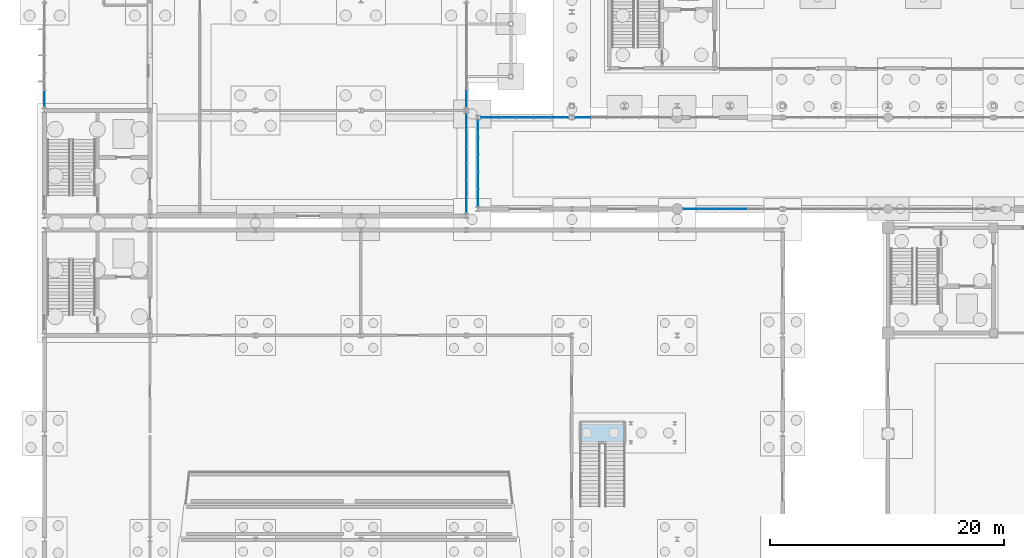
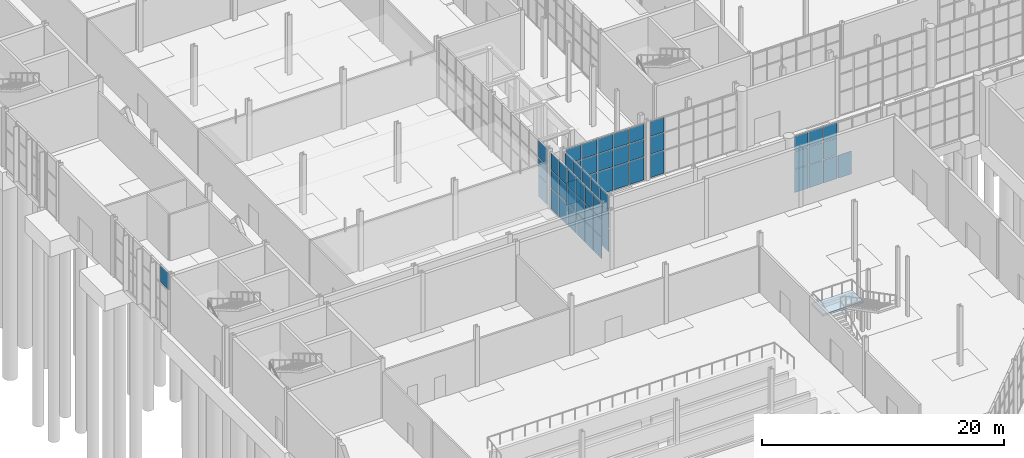
# One storey, part 74 of 131: 65 plates, 1 slab, 8 elements without a shape of their own.
"""IFC4 building model written with IfcOpenShell, lengths in metres."""

from ifc_helpers import new_model, si_unit, direction, frame, origin, origin_2d, place, context, subcontext, project, spatial, polyline, rectangle, outline, extrude, material, layer, layer_set, type_object, element, aggregate, save


model = new_model("IFC4")

# Units and contexts
model_context = context("Model", 3, precision=1e-05, world=origin(), true_north=direction((0.0, 1.0)))
body_context = subcontext(model_context, "Body", "Model", "MODEL_VIEW")
ifc_project = project(units=[si_unit("LENGTHUNIT", "METRE"), si_unit("AREAUNIT", "SQUARE_METRE"), si_unit("VOLUMEUNIT", "CUBIC_METRE"), si_unit("PLANEANGLEUNIT", "RADIAN"), si_unit("MASSUNIT", "GRAM", prefix="KILO")], contexts=[model_context])

# Site, building, storey
site_placement = place(None, origin())
site = spatial("IfcSite", under=ifc_project, at=site_placement, CompositionType="ELEMENT")
building_placement = place(site_placement, origin())
building = spatial("IfcBuilding", under=site, at=building_placement, Name="Cazmaro Siding Exhibition Halls", CompositionType="ELEMENT")
storey_placement = place(building_placement, origin())
storey = spatial("IfcBuildingStorey", under=building, at=storey_placement, Name="L00", CompositionType="ELEMENT", Elevation=0.0)

# Curtain wall, plates
ifc_material_1 = material(Name="Anodized Bronze Aluminum and Solar-Control Low-E Glazing", Category="aluminium")
ifc_layer_1 = layer(ifc_material_1, 0.179931640625)
ifc_layer_set_1 = layer_set([ifc_layer_1], Name="Anodized Bronze Aluminum and Solar-Control Low-E Glazing")
curtain_wall_type_1 = type_object("IfcCurtainWallType", Name="CWS-01", PredefinedType="USERDEFINED", material=ifc_layer_set_1)
curtain_wall_1_placement = place(storey_placement, origin())
curtain_wall_1 = element("IfcCurtainWall", 1, at=curtain_wall_1_placement, inside=storey, type_object=curtain_wall_type_1, Name="Glazed Curtain Wall CWS-01 CW-140", ObjectType="GLAZED CURTAIN WALL", PredefinedType="USERDEFINED")
ifc_material_2 = material(Name="Solar-Control Low-E Double Insulating Glass", Category="glass")
ifc_layer_2 = layer(ifc_material_2, 0.02392578125)
ifc_layer_set_2 = layer_set([ifc_layer_2], Name="Solar-Control Low-E Double Insulating Glass")
plate_type_1 = type_object("IfcPlateType", Name="CWP-01", PredefinedType="CURTAIN_PANEL", material=ifc_layer_set_2)
plate_1_placement = place(storey_placement, frame((44.0009765625, 63.0, 0.06005859375), z_axis=(0.0, 0.0, 1.0), x_axis=(-1.0, 0.0, 0.0)))
plate_1 = element("IfcPlate", 2, at=plate_1_placement, type_object=plate_type_1, Name="CWS-01 panel 1.1", PredefinedType="CURTAIN_PANEL", context=body_context, shape_type="SweptSolid", body=[
    extrude(rectangle(XDim=1.41796875, YDim=0.02392578125, at=origin_2d()), origin(), (0.0, 0.0, 1.0), 2.31005859375),
])
plate_2_placement = place(storey_placement, frame((44.0009765625, 63.0, 2.43017578125), z_axis=(0.0, 0.0, 1.0), x_axis=(-1.0, 0.0, 0.0)))
plate_2 = element("IfcPlate", 3, at=plate_2_placement, type_object=plate_type_1, Name="CWS-01 panel 1.2", PredefinedType="CURTAIN_PANEL", context=body_context, shape_type="SweptSolid", body=[
    extrude(rectangle(XDim=1.41796875, YDim=0.02392578125, at=origin_2d()), origin(), (0.0, 0.0, 1.0), 1.739990234375),
])
plate_3_placement = place(storey_placement, frame((44.0009765625, 63.0, 4.22998046875), z_axis=(0.0, 0.0, 1.0), x_axis=(-1.0, 0.0, 0.0)))
plate_3 = element("IfcPlate", 4, at=plate_3_placement, type_object=plate_type_1, Name="CWS-01 panel 1.3", PredefinedType="CURTAIN_PANEL", context=body_context, shape_type="SweptSolid", body=[
    extrude(rectangle(XDim=1.41796875, YDim=0.02392578125, at=origin_2d()), origin(), (0.0, 0.0, 1.0), 1.489990234375),
])
plate_4_placement = place(storey_placement, frame((42.508056640625, 63.0, 0.06005859375), z_axis=(0.0, 0.0, 1.0), x_axis=(-1.0, 0.0, 0.0)))
plate_4 = element("IfcPlate", 5, at=plate_4_placement, type_object=plate_type_1, Name="CWS-01 panel 2.1", PredefinedType="CURTAIN_PANEL", context=body_context, shape_type="SweptSolid", body=[
    extrude(rectangle(XDim=1.447998046875, YDim=0.02392578125, at=origin_2d()), origin(), (0.0, 0.0, 1.0), 2.31005859375),
])
plate_5_placement = place(storey_placement, frame((42.508056640625, 63.0, 2.43017578125), z_axis=(0.0, 0.0, 1.0), x_axis=(-1.0, 0.0, 0.0)))
plate_5 = element("IfcPlate", 6, at=plate_5_placement, type_object=plate_type_1, Name="CWS-01 panel 2.2", PredefinedType="CURTAIN_PANEL", context=body_context, shape_type="SweptSolid", body=[
    extrude(rectangle(XDim=1.447998046875, YDim=0.02392578125, at=origin_2d()), origin(), (0.0, 0.0, 1.0), 1.739990234375),
])
plate_6_placement = place(storey_placement, frame((42.508056640625, 63.0, 4.22998046875), z_axis=(0.0, 0.0, 1.0), x_axis=(-1.0, 0.0, 0.0)))
plate_6 = element("IfcPlate", 7, at=plate_6_placement, type_object=plate_type_1, Name="CWS-01 panel 2.3", PredefinedType="CURTAIN_PANEL", context=body_context, shape_type="SweptSolid", body=[
    extrude(rectangle(XDim=1.447998046875, YDim=0.02392578125, at=origin_2d()), origin(), (0.0, 0.0, 1.0), 1.489990234375),
])
plate_7_placement = place(storey_placement, frame((41.0, 63.0, 0.06005859375), z_axis=(0.0, 0.0, 1.0), x_axis=(-1.0, 0.0, 0.0)))
plate_7 = element("IfcPlate", 8, at=plate_7_placement, type_object=plate_type_1, Name="CWS-01 panel 3.1", PredefinedType="CURTAIN_PANEL", context=body_context, shape_type="SweptSolid", body=[
    extrude(rectangle(XDim=1.447998046875, YDim=0.02392578125, at=origin_2d()), origin(), (0.0, 0.0, 1.0), 2.31005859375),
])
plate_8_placement = place(storey_placement, frame((41.0, 63.0, 2.43017578125), z_axis=(0.0, 0.0, 1.0), x_axis=(-1.0, 0.0, 0.0)))
plate_8 = element("IfcPlate", 9, at=plate_8_placement, type_object=plate_type_1, Name="CWS-01 panel 3.2", PredefinedType="CURTAIN_PANEL", context=body_context, shape_type="SweptSolid", body=[
    extrude(rectangle(XDim=1.447998046875, YDim=0.02392578125, at=origin_2d()), origin(), (0.0, 0.0, 1.0), 1.739990234375),
])
plate_9_placement = place(storey_placement, frame((41.0, 63.0, 4.22998046875), z_axis=(0.0, 0.0, 1.0), x_axis=(-1.0, 0.0, 0.0)))
plate_9 = element("IfcPlate", 10, at=plate_9_placement, type_object=plate_type_1, Name="CWS-01 panel 3.3", PredefinedType="CURTAIN_PANEL", context=body_context, shape_type="SweptSolid", body=[
    extrude(rectangle(XDim=1.447998046875, YDim=0.02392578125, at=origin_2d()), origin(), (0.0, 0.0, 1.0), 1.489990234375),
])
plate_10_placement = place(storey_placement, frame((39.491943359375, 63.0, 0.06005859375), z_axis=(0.0, 0.0, 1.0), x_axis=(-1.0, 0.0, 0.0)))
plate_10 = element("IfcPlate", 11, at=plate_10_placement, type_object=plate_type_1, Name="CWS-01 panel 4.1", PredefinedType="CURTAIN_PANEL", context=body_context, shape_type="SweptSolid", body=[
    extrude(rectangle(XDim=1.447998046875, YDim=0.02392578125, at=origin_2d()), origin(), (0.0, 0.0, 1.0), 2.31005859375),
])
plate_11_placement = place(storey_placement, frame((39.491943359375, 63.0, 2.43017578125), z_axis=(0.0, 0.0, 1.0), x_axis=(-1.0, 0.0, 0.0)))
plate_11 = element("IfcPlate", 12, at=plate_11_placement, type_object=plate_type_1, Name="CWS-01 panel 4.2", PredefinedType="CURTAIN_PANEL", context=body_context, shape_type="SweptSolid", body=[
    extrude(rectangle(XDim=1.447998046875, YDim=0.02392578125, at=origin_2d()), origin(), (0.0, 0.0, 1.0), 1.739990234375),
])
plate_12_placement = place(storey_placement, frame((39.491943359375, 63.0, 4.22998046875), z_axis=(0.0, 0.0, 1.0), x_axis=(-1.0, 0.0, 0.0)))
plate_12 = element("IfcPlate", 13, at=plate_12_placement, type_object=plate_type_1, Name="CWS-01 panel 4.3", PredefinedType="CURTAIN_PANEL", context=body_context, shape_type="SweptSolid", body=[
    extrude(rectangle(XDim=1.447998046875, YDim=0.02392578125, at=origin_2d()), origin(), (0.0, 0.0, 1.0), 1.489990234375),
])
plate_13_placement = place(storey_placement, frame((37.9990234375, 63.0, 0.06005859375), z_axis=(0.0, 0.0, 1.0), x_axis=(-1.0, 0.0, 0.0)))
plate_13 = element("IfcPlate", 14, at=plate_13_placement, type_object=plate_type_1, Name="CWS-01 panel 5.1", PredefinedType="CURTAIN_PANEL", context=body_context, shape_type="SweptSolid", body=[
    extrude(rectangle(XDim=1.41796875, YDim=0.02392578125, at=origin_2d()), origin(), (0.0, 0.0, 1.0), 2.31005859375),
])
plate_14_placement = place(storey_placement, frame((37.9990234375, 63.0, 2.43017578125), z_axis=(0.0, 0.0, 1.0), x_axis=(-1.0, 0.0, 0.0)))
plate_14 = element("IfcPlate", 15, at=plate_14_placement, type_object=plate_type_1, Name="CWS-01 panel 5.2", PredefinedType="CURTAIN_PANEL", context=body_context, shape_type="SweptSolid", body=[
    extrude(rectangle(XDim=1.41796875, YDim=0.02392578125, at=origin_2d()), origin(), (0.0, 0.0, 1.0), 1.739990234375),
])
plate_15_placement = place(storey_placement, frame((37.9990234375, 63.0, 4.22998046875), z_axis=(0.0, 0.0, 1.0), x_axis=(-1.0, 0.0, 0.0)))
plate_15 = element("IfcPlate", 16, at=plate_15_placement, type_object=plate_type_1, Name="CWS-01 panel 5.3", PredefinedType="CURTAIN_PANEL", context=body_context, shape_type="SweptSolid", body=[
    extrude(rectangle(XDim=1.41796875, YDim=0.02392578125, at=origin_2d()), origin(), (0.0, 0.0, 1.0), 1.489990234375),
])
aggregate(curtain_wall_1, [plate_1, plate_2, plate_3, plate_4, plate_5, plate_6, plate_7, plate_8, plate_9, plate_10, plate_11, plate_12, plate_13, plate_14, plate_15])

curtain_wall_2_placement = place(storey_placement, origin())
curtain_wall_2 = element("IfcCurtainWall", 17, at=curtain_wall_2_placement, inside=storey, type_object=curtain_wall_type_1, Name="Glazed Curtain Wall CWS-01 CW-145", ObjectType="GLAZED CURTAIN WALL", PredefinedType="USERDEFINED")
plate_16_placement = place(storey_placement, frame((45.935546875, 63.0, 0.06005859375), z_axis=(0.0, 0.0, 1.0), x_axis=(-1.0, 0.0, 0.0)))
plate_16 = element("IfcPlate", 18, at=plate_16_placement, type_object=plate_type_1, Name="CWS-01 panel 6.1", PredefinedType="CURTAIN_PANEL", context=body_context, shape_type="SweptSolid", body=[
    extrude(rectangle(XDim=1.291259765625, YDim=0.02392578125, at=origin_2d()), origin(), (0.0, 0.0, 1.0), 2.31005859375),
])
plate_17_placement = place(storey_placement, frame((45.935546875, 63.0, 2.43017578125), z_axis=(0.0, 0.0, 1.0), x_axis=(-1.0, 0.0, 0.0)))
plate_17 = element("IfcPlate", 19, at=plate_17_placement, type_object=plate_type_1, Name="CWS-01 panel 6.2", PredefinedType="CURTAIN_PANEL", context=body_context, shape_type="SweptSolid", body=[
    extrude(rectangle(XDim=1.291259765625, YDim=0.02392578125, at=origin_2d()), origin(), (0.0, 0.0, 1.0), 1.739990234375),
])
plate_18_placement = place(storey_placement, frame((45.935546875, 63.0, 4.22998046875), z_axis=(0.0, 0.0, 1.0), x_axis=(-1.0, 0.0, 0.0)))
plate_18 = element("IfcPlate", 20, at=plate_18_placement, type_object=plate_type_1, Name="CWS-01 panel 6.3", PredefinedType="CURTAIN_PANEL", context=body_context, shape_type="SweptSolid", body=[
    extrude(rectangle(XDim=1.291259765625, YDim=0.02392578125, at=origin_2d()), origin(), (0.0, 0.0, 1.0), 1.489990234375),
])
aggregate(curtain_wall_2, [plate_16, plate_17, plate_18])

curtain_wall_3_placement = place(storey_placement, origin())
curtain_wall_3 = element("IfcCurtainWall", 21, at=curtain_wall_3_placement, inside=storey, type_object=curtain_wall_type_1, Name="Glazed Curtain Wall CWS-01 CW-150", ObjectType="GLAZED CURTAIN WALL", PredefinedType="USERDEFINED")
plate_19_placement = place(storey_placement, frame((55.1884765625, 55.199951171875, 0.06005859375), z_axis=(0.0, 0.0, 1.0), x_axis=(1.0, 0.0, 0.0)))
plate_19 = element("IfcPlate", 22, at=plate_19_placement, type_object=plate_type_1, Name="CWS-01 panel 1.1", PredefinedType="CURTAIN_PANEL", context=body_context, shape_type="SweptSolid", body=[
    extrude(rectangle(XDim=1.291259765625, YDim=0.02392578125, at=origin_2d()), origin(), (0.0, 0.0, 1.0), 2.31005859375),
])
plate_20_placement = place(storey_placement, frame((55.1884765625, 55.199951171875, 2.43017578125), z_axis=(0.0, 0.0, 1.0), x_axis=(1.0, 0.0, 0.0)))
plate_20 = element("IfcPlate", 23, at=plate_20_placement, type_object=plate_type_1, Name="CWS-01 panel 1.2", PredefinedType="CURTAIN_PANEL", context=body_context, shape_type="SweptSolid", body=[
    extrude(rectangle(XDim=1.291259765625, YDim=0.02392578125, at=origin_2d()), origin(), (0.0, 0.0, 1.0), 1.739990234375),
])
plate_21_placement = place(storey_placement, frame((55.1884765625, 55.199951171875, 4.22998046875), z_axis=(0.0, 0.0, 1.0), x_axis=(1.0, 0.0, 0.0)))
plate_21 = element("IfcPlate", 24, at=plate_21_placement, type_object=plate_type_1, Name="CWS-01 panel 1.3", PredefinedType="CURTAIN_PANEL", context=body_context, shape_type="SweptSolid", body=[
    extrude(rectangle(XDim=1.291259765625, YDim=0.02392578125, at=origin_2d()), origin(), (0.0, 0.0, 1.0), 1.489990234375),
])
plate_22_placement = place(storey_placement, frame((56.5546875, 55.199951171875, 0.06005859375), z_axis=(0.0, 0.0, 1.0), x_axis=(1.0, 0.0, 0.0)))
plate_22 = element("IfcPlate", 25, at=plate_22_placement, type_object=plate_type_1, Name="CWS-01 panel 2.1", PredefinedType="CURTAIN_PANEL", context=body_context, shape_type="SweptSolid", body=[
    extrude(rectangle(XDim=1.321044921875, YDim=0.02392578125, at=origin_2d()), origin(), (0.0, 0.0, 1.0), 2.31005859375),
])
plate_23_placement = place(storey_placement, frame((56.5546875, 55.199951171875, 2.43017578125), z_axis=(0.0, 0.0, 1.0), x_axis=(1.0, 0.0, 0.0)))
plate_23 = element("IfcPlate", 26, at=plate_23_placement, type_object=plate_type_1, Name="CWS-01 panel 2.2", PredefinedType="CURTAIN_PANEL", context=body_context, shape_type="SweptSolid", body=[
    extrude(rectangle(XDim=1.321044921875, YDim=0.02392578125, at=origin_2d()), origin(), (0.0, 0.0, 1.0), 1.739990234375),
])
plate_24_placement = place(storey_placement, frame((56.5546875, 55.199951171875, 4.22998046875), z_axis=(0.0, 0.0, 1.0), x_axis=(1.0, 0.0, 0.0)))
plate_24 = element("IfcPlate", 27, at=plate_24_placement, type_object=plate_type_1, Name="CWS-01 panel 2.3", PredefinedType="CURTAIN_PANEL", context=body_context, shape_type="SweptSolid", body=[
    extrude(rectangle(XDim=1.321044921875, YDim=0.02392578125, at=origin_2d()), origin(), (0.0, 0.0, 1.0), 1.489990234375),
])
plate_25_placement = place(storey_placement, frame((57.93603515625, 55.199951171875, 0.06005859375), z_axis=(0.0, 0.0, 1.0), x_axis=(1.0, 0.0, 0.0)))
plate_25 = element("IfcPlate", 28, at=plate_25_placement, type_object=plate_type_1, Name="CWS-01 panel 3.1", PredefinedType="CURTAIN_PANEL", context=body_context, shape_type="SweptSolid", body=[
    extrude(rectangle(XDim=1.321044921875, YDim=0.02392578125, at=origin_2d()), origin(), (0.0, 0.0, 1.0), 2.31005859375),
])
plate_26_placement = place(storey_placement, frame((57.93603515625, 55.199951171875, 2.43017578125), z_axis=(0.0, 0.0, 1.0), x_axis=(1.0, 0.0, 0.0)))
plate_26 = element("IfcPlate", 29, at=plate_26_placement, type_object=plate_type_1, Name="CWS-01 panel 3.2", PredefinedType="CURTAIN_PANEL", context=body_context, shape_type="SweptSolid", body=[
    extrude(rectangle(XDim=1.321044921875, YDim=0.02392578125, at=origin_2d()), origin(), (0.0, 0.0, 1.0), 1.739990234375),
])
plate_27_placement = place(storey_placement, frame((57.93603515625, 55.199951171875, 4.22998046875), z_axis=(0.0, 0.0, 1.0), x_axis=(1.0, 0.0, 0.0)))
plate_27 = element("IfcPlate", 30, at=plate_27_placement, type_object=plate_type_1, Name="CWS-01 panel 3.3", PredefinedType="CURTAIN_PANEL", context=body_context, shape_type="SweptSolid", body=[
    extrude(rectangle(XDim=1.321044921875, YDim=0.02392578125, at=origin_2d()), origin(), (0.0, 0.0, 1.0), 1.489990234375),
])
plate_28_placement = place(storey_placement, frame((59.317138671875, 55.199951171875, 0.06005859375), z_axis=(0.0, 0.0, 1.0), x_axis=(1.0, 0.0, 0.0)))
plate_28 = element("IfcPlate", 31, at=plate_28_placement, type_object=plate_type_1, Name="CWS-01 panel 4.1", PredefinedType="CURTAIN_PANEL", context=body_context, shape_type="SweptSolid", body=[
    extrude(rectangle(XDim=1.321044921875, YDim=0.02392578125, at=origin_2d()), origin(), (0.0, 0.0, 1.0), 2.31005859375),
])
aggregate(curtain_wall_3, [plate_19, plate_20, plate_21, plate_22, plate_23, plate_24, plate_25, plate_26, plate_27, plate_28])

curtain_wall_4_placement = place(storey_placement, origin())
curtain_wall_4 = element("IfcCurtainWall", 32, at=curtain_wall_4_placement, inside=storey, type_object=curtain_wall_type_1, Name="Glazed Curtain Wall CWS-01 CW-210", ObjectType="GLAZED CURTAIN WALL", PredefinedType="USERDEFINED")
plate_29_placement = place(storey_placement, frame((37.0, 62.0234375, 0.06005859375), z_axis=(0.0, 0.0, 1.0), x_axis=(0.0, -1.0, 0.0)))
plate_29 = element("IfcPlate", 33, at=plate_29_placement, type_object=plate_type_1, Name="CWS-01 panel 1.1", PredefinedType="CURTAIN_PANEL", context=body_context, shape_type="SweptSolid", body=[
    extrude(rectangle(XDim=1.379150390625, YDim=0.02392578125, at=origin_2d()), origin(), (0.0, 0.0, 1.0), 2.31005859375),
])
plate_30_placement = place(storey_placement, frame((37.0, 62.0234375, 2.43017578125), z_axis=(0.0, 0.0, 1.0), x_axis=(0.0, -1.0, 0.0)))
plate_30 = element("IfcPlate", 34, at=plate_30_placement, type_object=plate_type_1, Name="CWS-01 panel 1.2", PredefinedType="CURTAIN_PANEL", context=body_context, shape_type="SweptSolid", body=[
    extrude(rectangle(XDim=1.379150390625, YDim=0.02392578125, at=origin_2d()), origin(), (0.0, 0.0, 1.0), 1.739990234375),
])
plate_31_placement = place(storey_placement, frame((37.0, 62.0234375, 4.22998046875), z_axis=(0.0, 0.0, 1.0), x_axis=(0.0, -1.0, 0.0)))
plate_31 = element("IfcPlate", 35, at=plate_31_placement, type_object=plate_type_1, Name="CWS-01 panel 1.3", PredefinedType="CURTAIN_PANEL", context=body_context, shape_type="SweptSolid", body=[
    extrude(rectangle(XDim=1.379150390625, YDim=0.02392578125, at=origin_2d()), origin(), (0.0, 0.0, 1.0), 1.489990234375),
])
plate_32_placement = place(storey_placement, frame((37.0, 60.569091796875, 0.06005859375), z_axis=(0.0, 0.0, 1.0), x_axis=(0.0, -1.0, 0.0)))
plate_32 = element("IfcPlate", 36, at=plate_32_placement, type_object=plate_type_1, Name="CWS-01 panel 2.1", PredefinedType="CURTAIN_PANEL", context=body_context, shape_type="SweptSolid", body=[
    extrude(rectangle(XDim=1.4091796875, YDim=0.02392578125, at=origin_2d()), origin(), (0.0, 0.0, 1.0), 2.31005859375),
])
plate_33_placement = place(storey_placement, frame((37.0, 60.569091796875, 2.43017578125), z_axis=(0.0, 0.0, 1.0), x_axis=(0.0, -1.0, 0.0)))
plate_33 = element("IfcPlate", 37, at=plate_33_placement, type_object=plate_type_1, Name="CWS-01 panel 2.2", PredefinedType="CURTAIN_PANEL", context=body_context, shape_type="SweptSolid", body=[
    extrude(rectangle(XDim=1.4091796875, YDim=0.02392578125, at=origin_2d()), origin(), (0.0, 0.0, 1.0), 1.739990234375),
])
plate_34_placement = place(storey_placement, frame((37.0, 60.569091796875, 4.22998046875), z_axis=(0.0, 0.0, 1.0), x_axis=(0.0, -1.0, 0.0)))
plate_34 = element("IfcPlate", 38, at=plate_34_placement, type_object=plate_type_1, Name="CWS-01 panel 2.3", PredefinedType="CURTAIN_PANEL", context=body_context, shape_type="SweptSolid", body=[
    extrude(rectangle(XDim=1.4091796875, YDim=0.02392578125, at=origin_2d()), origin(), (0.0, 0.0, 1.0), 1.489990234375),
])
plate_35_placement = place(storey_placement, frame((37.0, 59.10009765625, 0.06005859375), z_axis=(0.0, 0.0, 1.0), x_axis=(0.0, -1.0, 0.0)))
plate_35 = element("IfcPlate", 39, at=plate_35_placement, type_object=plate_type_1, Name="CWS-01 panel 3.1", PredefinedType="CURTAIN_PANEL", context=body_context, shape_type="SweptSolid", body=[
    extrude(rectangle(XDim=1.4091796875, YDim=0.02392578125, at=origin_2d()), origin(), (0.0, 0.0, 1.0), 2.31005859375),
])
plate_36_placement = place(storey_placement, frame((37.0, 59.10009765625, 2.43017578125), z_axis=(0.0, 0.0, 1.0), x_axis=(0.0, -1.0, 0.0)))
plate_36 = element("IfcPlate", 40, at=plate_36_placement, type_object=plate_type_1, Name="CWS-01 panel 3.2", PredefinedType="CURTAIN_PANEL", context=body_context, shape_type="SweptSolid", body=[
    extrude(rectangle(XDim=1.4091796875, YDim=0.02392578125, at=origin_2d()), origin(), (0.0, 0.0, 1.0), 1.739990234375),
])
plate_37_placement = place(storey_placement, frame((37.0, 59.10009765625, 4.22998046875), z_axis=(0.0, 0.0, 1.0), x_axis=(0.0, -1.0, 0.0)))
plate_37 = element("IfcPlate", 41, at=plate_37_placement, type_object=plate_type_1, Name="CWS-01 panel 3.3", PredefinedType="CURTAIN_PANEL", context=body_context, shape_type="SweptSolid", body=[
    extrude(rectangle(XDim=1.4091796875, YDim=0.02392578125, at=origin_2d()), origin(), (0.0, 0.0, 1.0), 1.489990234375),
])
plate_38_placement = place(storey_placement, frame((37.0, 57.630859375, 0.06005859375), z_axis=(0.0, 0.0, 1.0), x_axis=(0.0, -1.0, 0.0)))
plate_38 = element("IfcPlate", 42, at=plate_38_placement, type_object=plate_type_1, Name="CWS-01 panel 4.1", PredefinedType="CURTAIN_PANEL", context=body_context, shape_type="SweptSolid", body=[
    extrude(rectangle(XDim=1.4091796875, YDim=0.02392578125, at=origin_2d()), origin(), (0.0, 0.0, 1.0), 2.31005859375),
])
plate_39_placement = place(storey_placement, frame((37.0, 57.630859375, 2.43017578125), z_axis=(0.0, 0.0, 1.0), x_axis=(0.0, -1.0, 0.0)))
plate_39 = element("IfcPlate", 43, at=plate_39_placement, type_object=plate_type_1, Name="CWS-01 panel 4.2", PredefinedType="CURTAIN_PANEL", context=body_context, shape_type="SweptSolid", body=[
    extrude(rectangle(XDim=1.4091796875, YDim=0.02392578125, at=origin_2d()), origin(), (0.0, 0.0, 1.0), 1.739990234375),
])
plate_40_placement = place(storey_placement, frame((37.0, 57.630859375, 4.22998046875), z_axis=(0.0, 0.0, 1.0), x_axis=(0.0, -1.0, 0.0)))
plate_40 = element("IfcPlate", 44, at=plate_40_placement, type_object=plate_type_1, Name="CWS-01 panel 4.3", PredefinedType="CURTAIN_PANEL", context=body_context, shape_type="SweptSolid", body=[
    extrude(rectangle(XDim=1.4091796875, YDim=0.02392578125, at=origin_2d()), origin(), (0.0, 0.0, 1.0), 1.489990234375),
])
plate_41_placement = place(storey_placement, frame((37.0, 56.176513671875, 0.06005859375), z_axis=(0.0, 0.0, 1.0), x_axis=(0.0, -1.0, 0.0)))
plate_41 = element("IfcPlate", 45, at=plate_41_placement, type_object=plate_type_1, Name="CWS-01 panel 5.1", PredefinedType="CURTAIN_PANEL", context=body_context, shape_type="SweptSolid", body=[
    extrude(rectangle(XDim=1.379150390625, YDim=0.02392578125, at=origin_2d()), origin(), (0.0, 0.0, 1.0), 2.31005859375),
])
plate_42_placement = place(storey_placement, frame((37.0, 56.176513671875, 2.43017578125), z_axis=(0.0, 0.0, 1.0), x_axis=(0.0, -1.0, 0.0)))
plate_42 = element("IfcPlate", 46, at=plate_42_placement, type_object=plate_type_1, Name="CWS-01 panel 5.2", PredefinedType="CURTAIN_PANEL", context=body_context, shape_type="SweptSolid", body=[
    extrude(rectangle(XDim=1.379150390625, YDim=0.02392578125, at=origin_2d()), origin(), (0.0, 0.0, 1.0), 1.739990234375),
])
plate_43_placement = place(storey_placement, frame((37.0, 56.176513671875, 4.22998046875), z_axis=(0.0, 0.0, 1.0), x_axis=(0.0, -1.0, 0.0)))
plate_43 = element("IfcPlate", 47, at=plate_43_placement, type_object=plate_type_1, Name="CWS-01 panel 5.3", PredefinedType="CURTAIN_PANEL", context=body_context, shape_type="SweptSolid", body=[
    extrude(rectangle(XDim=1.379150390625, YDim=0.02392578125, at=origin_2d()), origin(), (0.0, 0.0, 1.0), 1.489990234375),
])
aggregate(curtain_wall_4, [plate_29, plate_30, plate_31, plate_32, plate_33, plate_34, plate_35, plate_36, plate_37, plate_38, plate_39, plate_40, plate_41, plate_42, plate_43])

curtain_wall_5_placement = place(storey_placement, origin())
curtain_wall_5 = element("IfcCurtainWall", 48, at=curtain_wall_5_placement, inside=storey, type_object=curtain_wall_type_1, Name="Glazed Curtain Wall CWS-01 CW-223", ObjectType="GLAZED CURTAIN WALL", PredefinedType="USERDEFINED")
plate_44_placement = place(storey_placement, frame((36.0, 55.575927734375, 0.06005859375), z_axis=(0.0, 0.0, 1.0), x_axis=(0.0, 1.0, 0.0)))
plate_44 = element("IfcPlate", 49, at=plate_44_placement, type_object=plate_type_1, Name="CWS-01 panel 1.1", PredefinedType="CURTAIN_PANEL", context=body_context, shape_type="SweptSolid", body=[
    extrude(rectangle(XDim=1.32568359375, YDim=0.02392578125, at=origin_2d()), origin(), (0.0, 0.0, 1.0), 2.110107421875),
])
plate_45_placement = place(storey_placement, frame((36.0, 55.575927734375, 2.22998046875), z_axis=(0.0, 0.0, 1.0), x_axis=(0.0, 1.0, 0.0)))
plate_45 = element("IfcPlate", 50, at=plate_45_placement, type_object=plate_type_1, Name="CWS-01 panel 1.2", PredefinedType="CURTAIN_PANEL", context=body_context, shape_type="SweptSolid", body=[
    extrude(rectangle(XDim=1.32568359375, YDim=0.02392578125, at=origin_2d()), origin(), (0.0, 0.0, 1.0), 1.739990234375),
])
plate_46_placement = place(storey_placement, frame((36.0, 55.575927734375, 4.030029296875), z_axis=(0.0, 0.0, 1.0), x_axis=(0.0, 1.0, 0.0)))
plate_46 = element("IfcPlate", 51, at=plate_46_placement, type_object=plate_type_1, Name="CWS-01 panel 1.3", PredefinedType="CURTAIN_PANEL", context=body_context, shape_type="SweptSolid", body=[
    extrude(rectangle(XDim=1.32568359375, YDim=0.02392578125, at=origin_2d()), origin(), (0.0, 0.0, 1.0), 1.68994140625),
])
plate_47_placement = place(storey_placement, frame((36.0, 56.9765625, 0.06005859375), z_axis=(0.0, 0.0, 1.0), x_axis=(0.0, 1.0, 0.0)))
plate_47 = element("IfcPlate", 52, at=plate_47_placement, type_object=plate_type_1, Name="CWS-01 panel 2.1", PredefinedType="CURTAIN_PANEL", context=body_context, shape_type="SweptSolid", body=[
    extrude(rectangle(XDim=1.355712890625, YDim=0.02392578125, at=origin_2d()), origin(), (0.0, 0.0, 1.0), 2.110107421875),
])
plate_48_placement = place(storey_placement, frame((36.0, 56.9765625, 2.22998046875), z_axis=(0.0, 0.0, 1.0), x_axis=(0.0, 1.0, 0.0)))
plate_48 = element("IfcPlate", 53, at=plate_48_placement, type_object=plate_type_1, Name="CWS-01 panel 2.2", PredefinedType="CURTAIN_PANEL", context=body_context, shape_type="SweptSolid", body=[
    extrude(rectangle(XDim=1.355712890625, YDim=0.02392578125, at=origin_2d()), origin(), (0.0, 0.0, 1.0), 1.739990234375),
])
plate_49_placement = place(storey_placement, frame((36.0, 56.9765625, 4.030029296875), z_axis=(0.0, 0.0, 1.0), x_axis=(0.0, 1.0, 0.0)))
plate_49 = element("IfcPlate", 54, at=plate_49_placement, type_object=plate_type_1, Name="CWS-01 panel 2.3", PredefinedType="CURTAIN_PANEL", context=body_context, shape_type="SweptSolid", body=[
    extrude(rectangle(XDim=1.355712890625, YDim=0.02392578125, at=origin_2d()), origin(), (0.0, 0.0, 1.0), 1.68994140625),
])
plate_50_placement = place(storey_placement, frame((36.0, 58.39208984375, 0.06005859375), z_axis=(0.0, 0.0, 1.0), x_axis=(0.0, 1.0, 0.0)))
plate_50 = element("IfcPlate", 55, at=plate_50_placement, type_object=plate_type_1, Name="CWS-01 panel 3.1", PredefinedType="CURTAIN_PANEL", context=body_context, shape_type="SweptSolid", body=[
    extrude(rectangle(XDim=1.355712890625, YDim=0.02392578125, at=origin_2d()), origin(), (0.0, 0.0, 1.0), 2.110107421875),
])
plate_51_placement = place(storey_placement, frame((36.0, 58.39208984375, 2.22998046875), z_axis=(0.0, 0.0, 1.0), x_axis=(0.0, 1.0, 0.0)))
plate_51 = element("IfcPlate", 56, at=plate_51_placement, type_object=plate_type_1, Name="CWS-01 panel 3.2", PredefinedType="CURTAIN_PANEL", context=body_context, shape_type="SweptSolid", body=[
    extrude(rectangle(XDim=1.355712890625, YDim=0.02392578125, at=origin_2d()), origin(), (0.0, 0.0, 1.0), 1.739990234375),
])
plate_52_placement = place(storey_placement, frame((36.0, 58.39208984375, 4.030029296875), z_axis=(0.0, 0.0, 1.0), x_axis=(0.0, 1.0, 0.0)))
plate_52 = element("IfcPlate", 57, at=plate_52_placement, type_object=plate_type_1, Name="CWS-01 panel 3.3", PredefinedType="CURTAIN_PANEL", context=body_context, shape_type="SweptSolid", body=[
    extrude(rectangle(XDim=1.355712890625, YDim=0.02392578125, at=origin_2d()), origin(), (0.0, 0.0, 1.0), 1.68994140625),
])
plate_53_placement = place(storey_placement, frame((36.0, 59.807861328125, 0.06005859375), z_axis=(0.0, 0.0, 1.0), x_axis=(0.0, 1.0, 0.0)))
plate_53 = element("IfcPlate", 58, at=plate_53_placement, type_object=plate_type_1, Name="CWS-01 panel 4.1", PredefinedType="CURTAIN_PANEL", context=body_context, shape_type="SweptSolid", body=[
    extrude(rectangle(XDim=1.355712890625, YDim=0.02392578125, at=origin_2d()), origin(), (0.0, 0.0, 1.0), 2.110107421875),
])
plate_54_placement = place(storey_placement, frame((36.0, 59.807861328125, 2.22998046875), z_axis=(0.0, 0.0, 1.0), x_axis=(0.0, 1.0, 0.0)))
plate_54 = element("IfcPlate", 59, at=plate_54_placement, type_object=plate_type_1, Name="CWS-01 panel 4.2", PredefinedType="CURTAIN_PANEL", context=body_context, shape_type="SweptSolid", body=[
    extrude(rectangle(XDim=1.355712890625, YDim=0.02392578125, at=origin_2d()), origin(), (0.0, 0.0, 1.0), 1.739990234375),
])
plate_55_placement = place(storey_placement, frame((36.0, 59.807861328125, 4.030029296875), z_axis=(0.0, 0.0, 1.0), x_axis=(0.0, 1.0, 0.0)))
plate_55 = element("IfcPlate", 60, at=plate_55_placement, type_object=plate_type_1, Name="CWS-01 panel 4.3", PredefinedType="CURTAIN_PANEL", context=body_context, shape_type="SweptSolid", body=[
    extrude(rectangle(XDim=1.355712890625, YDim=0.02392578125, at=origin_2d()), origin(), (0.0, 0.0, 1.0), 1.68994140625),
])
plate_56_placement = place(storey_placement, frame((36.0, 61.223388671875, 0.06005859375), z_axis=(0.0, 0.0, 1.0), x_axis=(0.0, 1.0, 0.0)))
plate_56 = element("IfcPlate", 61, at=plate_56_placement, type_object=plate_type_1, Name="CWS-01 panel 5.1", PredefinedType="CURTAIN_PANEL", context=body_context, shape_type="SweptSolid", body=[
    extrude(rectangle(XDim=1.355712890625, YDim=0.02392578125, at=origin_2d()), origin(), (0.0, 0.0, 1.0), 2.110107421875),
])
plate_57_placement = place(storey_placement, frame((36.0, 61.223388671875, 2.22998046875), z_axis=(0.0, 0.0, 1.0), x_axis=(0.0, 1.0, 0.0)))
plate_57 = element("IfcPlate", 62, at=plate_57_placement, type_object=plate_type_1, Name="CWS-01 panel 5.2", PredefinedType="CURTAIN_PANEL", context=body_context, shape_type="SweptSolid", body=[
    extrude(rectangle(XDim=1.355712890625, YDim=0.02392578125, at=origin_2d()), origin(), (0.0, 0.0, 1.0), 1.739990234375),
])
plate_58_placement = place(storey_placement, frame((36.0, 61.223388671875, 4.030029296875), z_axis=(0.0, 0.0, 1.0), x_axis=(0.0, 1.0, 0.0)))
plate_58 = element("IfcPlate", 63, at=plate_58_placement, type_object=plate_type_1, Name="CWS-01 panel 5.3", PredefinedType="CURTAIN_PANEL", context=body_context, shape_type="SweptSolid", body=[
    extrude(rectangle(XDim=1.355712890625, YDim=0.02392578125, at=origin_2d()), origin(), (0.0, 0.0, 1.0), 1.68994140625),
])
plate_59_placement = place(storey_placement, frame((36.0, 62.624267578125, 0.06005859375), z_axis=(0.0, 0.0, 1.0), x_axis=(0.0, 1.0, 0.0)))
plate_59 = element("IfcPlate", 64, at=plate_59_placement, type_object=plate_type_1, Name="CWS-01 panel 6.1", PredefinedType="CURTAIN_PANEL", context=body_context, shape_type="SweptSolid", body=[
    extrude(rectangle(XDim=1.32568359375, YDim=0.02392578125, at=origin_2d()), origin(), (0.0, 0.0, 1.0), 2.110107421875),
])
plate_60_placement = place(storey_placement, frame((36.0, 62.624267578125, 2.22998046875), z_axis=(0.0, 0.0, 1.0), x_axis=(0.0, 1.0, 0.0)))
plate_60 = element("IfcPlate", 65, at=plate_60_placement, type_object=plate_type_1, Name="CWS-01 panel 6.2", PredefinedType="CURTAIN_PANEL", context=body_context, shape_type="SweptSolid", body=[
    extrude(rectangle(XDim=1.32568359375, YDim=0.02392578125, at=origin_2d()), origin(), (0.0, 0.0, 1.0), 1.739990234375),
])
plate_61_placement = place(storey_placement, frame((36.0, 62.624267578125, 4.030029296875), z_axis=(0.0, 0.0, 1.0), x_axis=(0.0, 1.0, 0.0)))
plate_61 = element("IfcPlate", 66, at=plate_61_placement, type_object=plate_type_1, Name="CWS-01 panel 6.3", PredefinedType="CURTAIN_PANEL", context=body_context, shape_type="SweptSolid", body=[
    extrude(rectangle(XDim=1.32568359375, YDim=0.02392578125, at=origin_2d()), origin(), (0.0, 0.0, 1.0), 1.68994140625),
])
aggregate(curtain_wall_5, [plate_44, plate_45, plate_46, plate_47, plate_48, plate_49, plate_50, plate_51, plate_52, plate_53, plate_54, plate_55, plate_56, plate_57, plate_58, plate_59, plate_60, plate_61])

curtain_wall_6_placement = place(storey_placement, origin())
curtain_wall_6 = element("IfcCurtainWall", 67, at=curtain_wall_6_placement, inside=storey, type_object=curtain_wall_type_1, Name="Glazed Curtain Wall CWS-01 CW-225", ObjectType="GLAZED CURTAIN WALL", PredefinedType="USERDEFINED")
plate_62_placement = place(storey_placement, frame((36.0, 64.609130859375, 0.06005859375), z_axis=(0.0, 0.0, 1.0), x_axis=(0.0, 1.0, 0.0)))
plate_62 = element("IfcPlate", 68, at=plate_62_placement, type_object=plate_type_1, Name="CWS-01 panel 1.1", PredefinedType="CURTAIN_PANEL", context=body_context, shape_type="SweptSolid", body=[
    extrude(rectangle(XDim=1.392333984375, YDim=0.02392578125, at=origin_2d()), origin(), (0.0, 0.0, 1.0), 2.110107421875),
])
plate_63_placement = place(storey_placement, frame((36.0, 64.609130859375, 2.22998046875), z_axis=(0.0, 0.0, 1.0), x_axis=(0.0, 1.0, 0.0)))
plate_63 = element("IfcPlate", 69, at=plate_63_placement, type_object=plate_type_1, Name="CWS-01 panel 1.2", PredefinedType="CURTAIN_PANEL", context=body_context, shape_type="SweptSolid", body=[
    extrude(rectangle(XDim=1.392333984375, YDim=0.02392578125, at=origin_2d()), origin(), (0.0, 0.0, 1.0), 1.739990234375),
])
plate_64_placement = place(storey_placement, frame((36.0, 64.609130859375, 4.030029296875), z_axis=(0.0, 0.0, 1.0), x_axis=(0.0, 1.0, 0.0)))
plate_64 = element("IfcPlate", 70, at=plate_64_placement, type_object=plate_type_1, Name="CWS-01 panel 1.3", PredefinedType="CURTAIN_PANEL", context=body_context, shape_type="SweptSolid", body=[
    extrude(rectangle(XDim=1.392333984375, YDim=0.02392578125, at=origin_2d()), origin(), (0.0, 0.0, 1.0), 1.68994140625),
])
aggregate(curtain_wall_6, [plate_62, plate_63, plate_64])

# Curtain wall, plate
ifc_material_3 = material(Name="Anodized Bronze Aluminum and Solar-Control Low-E Glazing", Category="aluminium")
ifc_layer_3 = layer(ifc_material_3, 0.199951171875)
ifc_layer_set_3 = layer_set([ifc_layer_3], Name="Anodized Bronze Aluminum and Solar-Control Low-E Glazing")
curtain_wall_type_2 = type_object("IfcCurtainWallType", Name="CWS-02", PredefinedType="USERDEFINED", material=ifc_layer_set_3)
curtain_wall_7_placement = place(storey_placement, origin())
curtain_wall_7 = element("IfcCurtainWall", 71, at=curtain_wall_7_placement, inside=storey, type_object=curtain_wall_type_2, Name="Glazed Curtain Wall CWS-02 CW-224", ObjectType="GLAZED CURTAIN WALL", PredefinedType="USERDEFINED")
ifc_material_4 = material(Name="Solar-Control Low-E Double Insulating Glass", Category="glass")
ifc_layer_4 = layer(ifc_material_4, 0.035888671875)
ifc_layer_set_4 = layer_set([ifc_layer_4], Name="Solar-Control Low-E Double Insulating Glass")
plate_type_2 = type_object("IfcPlateType", Name="CWP-02", PredefinedType="CURTAIN_PANEL", material=ifc_layer_set_4)
plate_65_placement = place(storey_placement, frame((0.0, 64.6103515625, 4.032470703125), z_axis=(0.0, 0.0, 1.0), x_axis=(0.0, -1.0, 0.0)))
plate_65 = element("IfcPlate", 72, at=plate_65_placement, type_object=plate_type_2, Name="CWS-02 panel 6.3", PredefinedType="CURTAIN_PANEL", context=body_context, shape_type="SweptSolid", body=[
    extrude(rectangle(XDim=1.384765625, YDim=0.035888671875, at=origin_2d()), origin(), (0.0, 0.0, 1.0), 1.6826171875),
])
aggregate(curtain_wall_7, [plate_65])

# Stair, slab
ifc_material_5 = material(Name="Steel ASTM A992 Grade 50 Stringers with Precast Treads", Category="concrete")
stair_type = type_object("IfcStairType", Name="STT-26", PredefinedType="TWO_STRAIGHT_RUN_STAIR", material=ifc_material_5)
stair_placement = place(storey_placement, origin())
stair = element("IfcStair", 73, at=stair_placement, inside=storey, type_object=stair_type, Name="Congress Foyer Grand Stair L00-L01 ST-26", PredefinedType="TWO_STRAIGHT_RUN_STAIR")
ifc_material_6 = material(Name="Concrete f'c 40 MPa", Category="concrete")
ifc_layer_5 = layer(ifc_material_6, 0.199951171875)
ifc_layer_set_5 = layer_set([ifc_layer_5], Name="Concrete f'c 40 MPa")
slab_type = type_object("IfcSlabType", Name="LND-26", PredefinedType="LANDING", material=ifc_layer_set_5)
slab_placement = place(storey_placement, frame((0.0, 0.0, 2.800048828125)))
slab = element("IfcSlab", 74, at=slab_placement, type_object=slab_type, Name="ST-26 landing 1", PredefinedType="LANDING", context=body_context, shape_type="SweptSolid", body=[
    extrude(outline(polyline([(45.699951171875, 35.199951171875), (49.550048828125, 35.199951171875), (49.550048828125, 37.080078125), (45.699951171875, 37.080078125), (45.699951171875, 35.199951171875)])), origin(), (0.0, 0.0, 1.0), 0.199951171875),
])
aggregate(stair, [slab])

save(model, "model.ifc")
